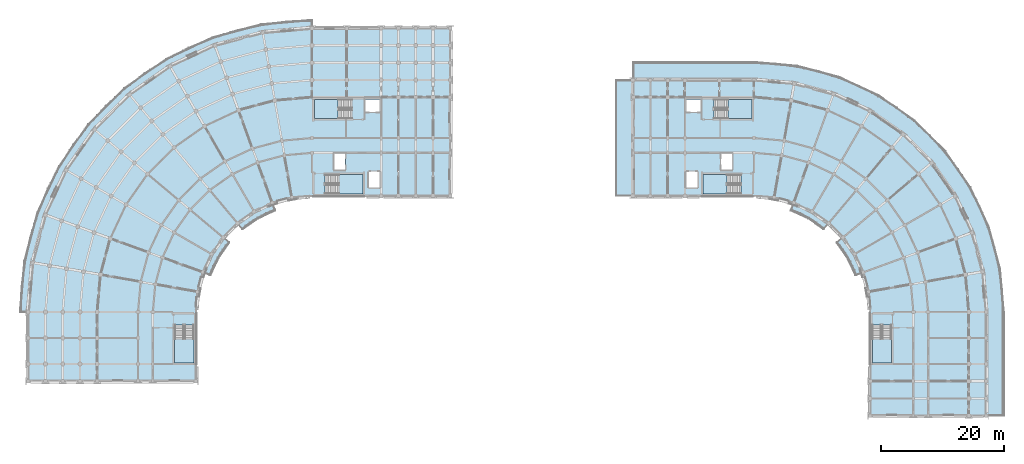
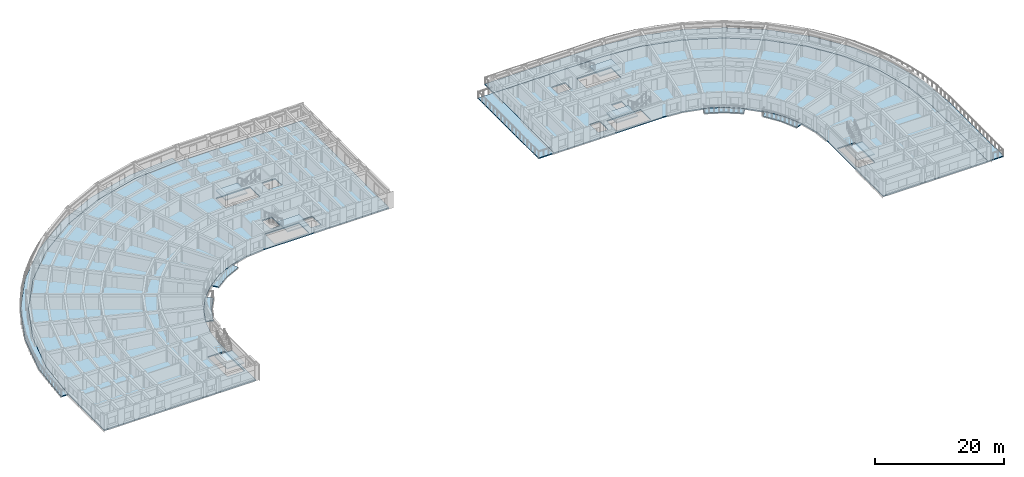
# One storey, part 9 of 36: 15 slabs, 6 elements without a shape of their own.
"""IFC4 building model written with IfcOpenShell, lengths in metres."""

from ifc_helpers import new_model, si_unit, direction, frame, origin, place, context, subcontext, project, spatial, polyline, outline, extrude, material, layer, layer_set, type_object, element, aggregate, save


model = new_model("IFC4")

# Units and contexts
model_context = context("Model", 3, precision=1e-05, world=origin(), true_north=direction((0.0, 1.0)))
body_context = subcontext(model_context, "Body", "Model", "MODEL_VIEW")
ifc_project = project(units=[si_unit("LENGTHUNIT", "METRE"), si_unit("AREAUNIT", "SQUARE_METRE"), si_unit("VOLUMEUNIT", "CUBIC_METRE"), si_unit("PLANEANGLEUNIT", "RADIAN"), si_unit("MASSUNIT", "GRAM", prefix="KILO")], contexts=[model_context])

# Site, building, storey
site_placement = place(None, origin())
site = spatial("IfcSite", under=ifc_project, at=site_placement, CompositionType="ELEMENT")
building_placement = place(site_placement, origin())
building = spatial("IfcBuilding", under=site, at=building_placement, Name="Kiranvali Square Residences", CompositionType="ELEMENT")
storey_placement = place(building_placement, frame((0.0, 0.0, 37.050048828125)))
storey = spatial("IfcBuildingStorey", under=building, at=storey_placement, Name="L11", CompositionType="ELEMENT", Elevation=37.050048828125)

# Slabs
ifc_material = material(Name="Concrete M35 (35 MPa)", Category="concrete")
ifc_layer_1 = layer(ifc_material, 0.179931640625)
ifc_layer_set_1 = layer_set([ifc_layer_1], Name="Concrete M35 (35 MPa)")
slab_type_1 = type_object("IfcSlabType", Name="SLB-BAL-180", PredefinedType="FLOOR", material=ifc_layer_set_1)
slab_1_placement = place(storey_placement, frame((0.0, 0.0, -0.179931640625)))
element("IfcSlab", 1, at=slab_1_placement, inside=storey, type_object=slab_type_1, Name="Block A L11 continuous curved corner balcony slab", PredefinedType="FLOOR", context=body_context, shape_type="SweptSolid", body=[
    extrude(outline(polyline([(48.199951171875, 135.050048828125), (39.9951171875, 134.332275390625), (32.03955078125, 132.200439453125), (24.574951171875, 128.7197265625), (17.828369140625, 123.99560546875), (12.00439453125, 118.171630859375), (7.2802734375, 111.425048828125), (3.799560546875, 103.96044921875), (1.667724609375, 96.0048828125), (0.949951171875, 87.800048828125), (2.199951171875, 87.800048828125), (2.89892578125, 95.787841796875), (4.97412109375, 103.532958984375), (8.36279296875, 110.800048828125), (12.9619140625, 117.3681640625), (18.6318359375, 123.0380859375), (25.199951171875, 127.63720703125), (32.467041015625, 131.02587890625), (40.212158203125, 133.10107421875), (48.199951171875, 133.800048828125), (48.199951171875, 135.050048828125)])), origin(), (0.0, 0.0, 1.0), 0.179931640625),
])
slab_2_placement = place(storey_placement, frame((0.0, 0.0, -0.179931640625)))
element("IfcSlab", 2, at=slab_2_placement, inside=storey, type_object=slab_type_1, Name="Block B L11 north/south wing-end terrace slab", PredefinedType="FLOOR", context=body_context, shape_type="SweptSolid", body=[
    extrude(outline(polyline([(97.39990234375, 106.60009765625), (100.199951171875, 106.60009765625), (100.199951171875, 125.39990234375), (97.39990234375, 125.39990234375), (97.39990234375, 106.60009765625)])), origin(), (0.0, 0.0, 1.0), 0.179931640625),
])
ifc_layer_2 = layer(ifc_material, 0.2099609375)
ifc_layer_set_2 = layer_set([ifc_layer_2], Name="Concrete M35 (35 MPa)")
slab_type_2 = type_object("IfcSlabType", Name="SLB-FLR-210", PredefinedType="FLOOR", material=ifc_layer_set_2)
slab_3_placement = place(storey_placement, frame((0.0, 0.0, -0.2099609375)))
element("IfcSlab", 3, at=slab_3_placement, inside=storey, type_object=slab_type_2, Name="Block A L11 structural floor slab", PredefinedType="FLOOR", context=body_context, shape_type="SweptSolid", body=[
    extrude(outline(polyline([(70.60009765625, 106.60009765625), (70.60009765625, 133.800048828125), (48.199951171875, 133.800048828125), (40.212158203125, 133.10107421875), (32.467041015625, 131.02587890625), (25.199951171875, 127.63720703125), (18.6318359375, 123.0380859375), (12.9619140625, 117.3681640625), (8.36279296875, 110.800048828125), (4.97412109375, 103.532958984375), (2.89892578125, 95.787841796875), (2.199951171875, 87.800048828125), (2.199951171875, 76.60009765625), (29.39990234375, 76.60009765625), (29.39990234375, 87.800048828125), (29.685546875, 91.064697265625), (30.53369140625, 94.22998046875), (31.918701171875, 97.199951171875), (33.79833984375, 99.884521484375), (36.115478515625, 102.20166015625), (38.800048828125, 104.081298828125), (41.77001953125, 105.46630859375), (44.935302734375, 106.314453125), (48.199951171875, 106.60009765625), (70.60009765625, 106.60009765625)]), holes=[polyline([(56.800048828125, 120.25), (59.25, 120.25), (59.25, 122.25), (56.800048828125, 122.25), (56.800048828125, 120.25)]), polyline([(57.35009765625, 107.949951171875), (59.14990234375, 107.949951171875), (59.14990234375, 110.550048828125), (57.35009765625, 110.550048828125), (57.35009765625, 107.949951171875)]), polyline([(51.75, 110.85009765625), (53.550048828125, 110.85009765625), (53.550048828125, 113.449951171875), (51.75, 113.449951171875), (51.75, 110.85009765625)]), polyline([(54.699951171875, 122.25), (48.550048828125, 122.25), (48.550048828125, 119.14990234375), (54.699951171875, 119.14990234375), (54.699951171875, 122.25)]), polyline([(50.300048828125, 106.949951171875), (56.449951171875, 106.949951171875), (56.449951171875, 110.050048828125), (50.300048828125, 110.050048828125), (50.300048828125, 106.949951171875)]), polyline([(25.949951171875, 85.699951171875), (25.949951171875, 79.550048828125), (29.050048828125, 79.550048828125), (29.050048828125, 85.699951171875), (25.949951171875, 85.699951171875)])]), origin(), (0.0, 0.0, 1.0), 0.2099609375),
])
slab_4_placement = place(storey_placement, frame((0.0, 0.0, -0.2099609375)))
element("IfcSlab", 4, at=slab_4_placement, inside=storey, type_object=slab_type_2, Name="Block B L11 structural floor slab", PredefinedType="FLOOR", context=body_context, shape_type="SweptSolid", body=[
    extrude(outline(polyline([(119.800048828125, 106.60009765625), (123.064697265625, 106.314453125), (126.22998046875, 105.46630859375), (129.199951171875, 104.081298828125), (131.884521484375, 102.20166015625), (134.20166015625, 99.884521484375), (136.081298828125, 97.199951171875), (137.46630859375, 94.22998046875), (138.314453125, 91.064697265625), (138.60009765625, 87.800048828125), (138.60009765625, 71.0), (157.39990234375, 71.0), (157.39990234375, 87.800048828125), (156.828857421875, 94.3291015625), (155.13232421875, 100.659912109375), (152.362548828125, 106.60009765625), (148.603271484375, 111.96875), (143.96875, 116.603271484375), (138.60009765625, 120.362548828125), (132.659912109375, 123.13232421875), (126.3291015625, 124.828857421875), (119.800048828125, 125.39990234375), (100.199951171875, 125.39990234375), (100.199951171875, 106.60009765625), (119.800048828125, 106.60009765625)]), holes=[polyline([(108.75, 120.25), (111.199951171875, 120.25), (111.199951171875, 122.25), (108.75, 122.25), (108.75, 120.25)]), polyline([(108.85009765625, 107.949951171875), (110.64990234375, 107.949951171875), (110.64990234375, 110.550048828125), (108.85009765625, 110.550048828125), (108.85009765625, 107.949951171875)]), polyline([(114.449951171875, 110.85009765625), (116.25, 110.85009765625), (116.25, 113.449951171875), (114.449951171875, 113.449951171875), (114.449951171875, 110.85009765625)]), polyline([(113.300048828125, 119.14990234375), (119.449951171875, 119.14990234375), (119.449951171875, 122.25), (113.300048828125, 122.25), (113.300048828125, 119.14990234375)]), polyline([(117.699951171875, 110.050048828125), (111.550048828125, 110.050048828125), (111.550048828125, 106.949951171875), (117.699951171875, 106.949951171875), (117.699951171875, 110.050048828125)]), polyline([(138.949951171875, 85.699951171875), (138.949951171875, 79.550048828125), (142.050048828125, 79.550048828125), (142.050048828125, 85.699951171875), (138.949951171875, 85.699951171875)])]), origin(), (0.0, 0.0, 1.0), 0.2099609375),
])
ifc_layer_3 = layer(ifc_material, 0.169921875)
ifc_layer_set_3 = layer_set([ifc_layer_3], Name="Concrete M35 (35 MPa)")
slab_type_3 = type_object("IfcSlabType", Name="SLB-GBAL-170", PredefinedType="FLOOR", material=ifc_layer_set_3)
slab_5_placement = place(storey_placement, frame((0.0, 0.0, -0.179931640625)))
element("IfcSlab", 5, at=slab_5_placement, inside=storey, type_object=slab_type_3, Name="Block A L11 garden balcony slab 1", PredefinedType="FLOOR", context=body_context, shape_type="SweptSolid", body=[
    extrude(outline(polyline([(41.77001953125, 105.46630859375), (38.800048828125, 104.081298828125), (36.115478515625, 102.20166015625), (36.919189453125, 101.244140625), (39.425048828125, 102.998779296875), (42.197509765625, 104.29150390625), (41.77001953125, 105.46630859375)])), origin(), (0.0, 0.0, 1.0), 0.179931640625),
])
slab_6_placement = place(storey_placement, frame((0.0, 0.0, -0.179931640625)))
element("IfcSlab", 6, at=slab_6_placement, inside=storey, type_object=slab_type_3, Name="Block A L11 garden balcony slab 2", PredefinedType="FLOOR", context=body_context, shape_type="SweptSolid", body=[
    extrude(outline(polyline([(33.79833984375, 99.884521484375), (31.918701171875, 97.199951171875), (30.53369140625, 94.22998046875), (31.70849609375, 93.802490234375), (33.001220703125, 96.574951171875), (34.755859375, 99.080810546875), (33.79833984375, 99.884521484375)])), origin(), (0.0, 0.0, 1.0), 0.179931640625),
])
slab_7_placement = place(storey_placement, frame((0.0, 0.0, -0.179931640625)))
element("IfcSlab", 7, at=slab_7_placement, inside=storey, type_object=slab_type_3, Name="Block B L11 garden balcony slab 1", PredefinedType="FLOOR", context=body_context, shape_type="SweptSolid", body=[
    extrude(outline(polyline([(125.802490234375, 104.29150390625), (128.574951171875, 102.998779296875), (131.080810546875, 101.244140625), (131.884521484375, 102.20166015625), (129.199951171875, 104.081298828125), (126.22998046875, 105.46630859375), (125.802490234375, 104.29150390625)])), origin(), (0.0, 0.0, 1.0), 0.179931640625),
])
slab_8_placement = place(storey_placement, frame((0.0, 0.0, -0.179931640625)))
element("IfcSlab", 8, at=slab_8_placement, inside=storey, type_object=slab_type_3, Name="Block B L11 garden balcony slab 2", PredefinedType="FLOOR", context=body_context, shape_type="SweptSolid", body=[
    extrude(outline(polyline([(133.244140625, 99.080810546875), (134.998779296875, 96.574951171875), (136.29150390625, 93.802490234375), (137.46630859375, 94.22998046875), (136.081298828125, 97.199951171875), (134.20166015625, 99.884521484375), (133.244140625, 99.080810546875)])), origin(), (0.0, 0.0, 1.0), 0.179931640625),
])

# Stair, slab
stair_type = type_object("IfcStairType", Name="ST-CORE-1700", PredefinedType="HALF_TURN_STAIR", material=ifc_material)
stair_1_placement = place(storey_placement, origin())
stair_1 = element("IfcStair", 9, at=stair_1_placement, inside=storey, type_object=stair_type, Name="L11 Block A Firefighting Exit Stair 1", PredefinedType="HALF_TURN_STAIR")
ifc_layer_4 = layer(ifc_material, 0.199951171875)
ifc_layer_set_4 = layer_set([ifc_layer_4], Name="Concrete M35 (35 MPa)")
slab_type_4 = type_object("IfcSlabType", Name="SLB-LND-200", PredefinedType="LANDING", material=ifc_layer_set_4)
slab_9_placement = place(storey_placement, frame((0.0, 0.0, 1.375)))
slab_9 = element("IfcSlab", 10, at=slab_9_placement, type_object=slab_type_4, Name="ST-A1 landing 1", PredefinedType="LANDING", context=body_context, shape_type="SweptSolid", body=[
    extrude(outline(polyline([(52.419921875, 122.25), (48.550048828125, 122.25), (48.550048828125, 119.14990234375), (52.419921875, 119.14990234375), (52.419921875, 122.25)])), origin(), (0.0, 0.0, 1.0), 0.199951171875),
])
aggregate(stair_1, [slab_9])

stair_2_placement = place(storey_placement, origin())
stair_2 = element("IfcStair", 11, at=stair_2_placement, inside=storey, type_object=stair_type, Name="L11 Block A Protected Exit Stair 2", PredefinedType="HALF_TURN_STAIR")
slab_10_placement = place(storey_placement, frame((0.0, 0.0, 1.375)))
slab_10 = element("IfcSlab", 12, at=slab_10_placement, type_object=slab_type_4, Name="ST-A2 landing 1", PredefinedType="LANDING", context=body_context, shape_type="SweptSolid", body=[
    extrude(outline(polyline([(52.580078125, 106.949951171875), (56.449951171875, 106.949951171875), (56.449951171875, 110.050048828125), (52.580078125, 110.050048828125), (52.580078125, 106.949951171875)])), origin(), (0.0, 0.0, 1.0), 0.199951171875),
])
aggregate(stair_2, [slab_10])

stair_3_placement = place(storey_placement, origin())
stair_3 = element("IfcStair", 13, at=stair_3_placement, inside=storey, type_object=stair_type, Name="L11 Block A Wing Protected Exit Stair 3", PredefinedType="HALF_TURN_STAIR")
slab_11_placement = place(storey_placement, frame((0.0, 0.0, 1.375)))
slab_11 = element("IfcSlab", 14, at=slab_11_placement, type_object=slab_type_4, Name="ST-A3 landing 1", PredefinedType="LANDING", context=body_context, shape_type="SweptSolid", body=[
    extrude(outline(polyline([(25.949951171875, 83.419921875), (25.949951171875, 79.550048828125), (29.050048828125, 79.550048828125), (29.050048828125, 83.419921875), (25.949951171875, 83.419921875)])), origin(), (0.0, 0.0, 1.0), 0.199951171875),
])
aggregate(stair_3, [slab_11])

stair_4_placement = place(storey_placement, origin())
stair_4 = element("IfcStair", 15, at=stair_4_placement, inside=storey, type_object=stair_type, Name="L11 Block B Firefighting Exit Stair 1", PredefinedType="HALF_TURN_STAIR")
slab_12_placement = place(storey_placement, frame((0.0, 0.0, 1.375)))
slab_12 = element("IfcSlab", 16, at=slab_12_placement, type_object=slab_type_4, Name="ST-B1 landing 1", PredefinedType="LANDING", context=body_context, shape_type="SweptSolid", body=[
    extrude(outline(polyline([(115.580078125, 119.14990234375), (119.449951171875, 119.14990234375), (119.449951171875, 122.25), (115.580078125, 122.25), (115.580078125, 119.14990234375)])), origin(), (0.0, 0.0, 1.0), 0.199951171875),
])
aggregate(stair_4, [slab_12])

stair_5_placement = place(storey_placement, origin())
stair_5 = element("IfcStair", 17, at=stair_5_placement, inside=storey, type_object=stair_type, Name="L11 Block B Protected Exit Stair 2", PredefinedType="HALF_TURN_STAIR")
slab_13_placement = place(storey_placement, frame((0.0, 0.0, 1.375)))
slab_13 = element("IfcSlab", 18, at=slab_13_placement, type_object=slab_type_4, Name="ST-B2 landing 1", PredefinedType="LANDING", context=body_context, shape_type="SweptSolid", body=[
    extrude(outline(polyline([(115.419921875, 110.050048828125), (111.550048828125, 110.050048828125), (111.550048828125, 106.949951171875), (115.419921875, 106.949951171875), (115.419921875, 110.050048828125)])), origin(), (0.0, 0.0, 1.0), 0.199951171875),
])
aggregate(stair_5, [slab_13])

stair_6_placement = place(storey_placement, origin())
stair_6 = element("IfcStair", 19, at=stair_6_placement, inside=storey, type_object=stair_type, Name="L11 Block B Wing Protected Exit Stair 3", PredefinedType="HALF_TURN_STAIR")
slab_14_placement = place(storey_placement, frame((0.0, 0.0, 1.375)))
slab_14 = element("IfcSlab", 20, at=slab_14_placement, type_object=slab_type_4, Name="ST-B3 landing 1", PredefinedType="LANDING", context=body_context, shape_type="SweptSolid", body=[
    extrude(outline(polyline([(138.949951171875, 83.419921875), (138.949951171875, 79.550048828125), (142.050048828125, 79.550048828125), (142.050048828125, 83.419921875), (138.949951171875, 83.419921875)])), origin(), (0.0, 0.0, 1.0), 0.199951171875),
])
aggregate(stair_6, [slab_14])

# Slab
ifc_layer_5 = layer(ifc_material, 0.18994140625)
ifc_layer_set_5 = layer_set([ifc_layer_5], Name="Concrete M35 (35 MPa)")
slab_type_5 = type_object("IfcSlabType", Name="SLB-TER-190", PredefinedType="FLOOR", material=ifc_layer_set_5)
slab_15_placement = place(storey_placement, frame((0.0, 0.0, -0.179931640625)))
element("IfcSlab", 21, at=slab_15_placement, inside=storey, type_object=slab_type_5, Name="Block B L11 stepped curved corner balcony terrace slab", PredefinedType="FLOOR", context=body_context, shape_type="SweptSolid", body=[
    extrude(outline(polyline([(100.199951171875, 125.39990234375), (119.800048828125, 125.39990234375), (126.3291015625, 124.828857421875), (132.659912109375, 123.13232421875), (138.60009765625, 120.362548828125), (143.96875, 116.603271484375), (148.603271484375, 111.96875), (152.362548828125, 106.60009765625), (155.13232421875, 100.659912109375), (156.828857421875, 94.3291015625), (157.39990234375, 87.800048828125), (157.39990234375, 71.0), (160.199951171875, 71.0), (160.199951171875, 87.800048828125), (159.586181640625, 94.8154296875), (157.763671875, 101.61767578125), (154.787353515625, 108.0), (150.748291015625, 113.7685546875), (145.7685546875, 118.748291015625), (140.0, 122.787353515625), (133.61767578125, 125.763671875), (126.8154296875, 127.586181640625), (119.800048828125, 128.199951171875), (100.199951171875, 128.199951171875), (100.199951171875, 125.39990234375)])), origin(), (0.0, 0.0, 1.0), 0.179931640625),
])

save(model, "model.ifc")
